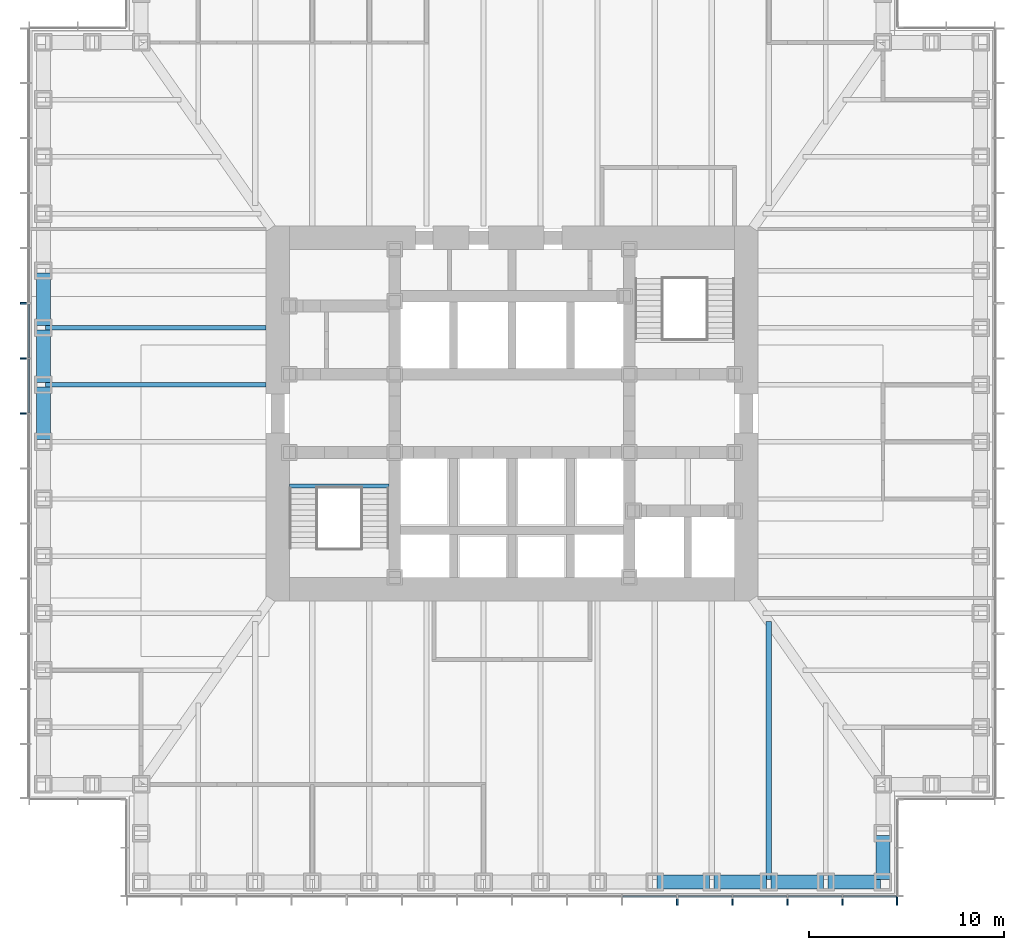
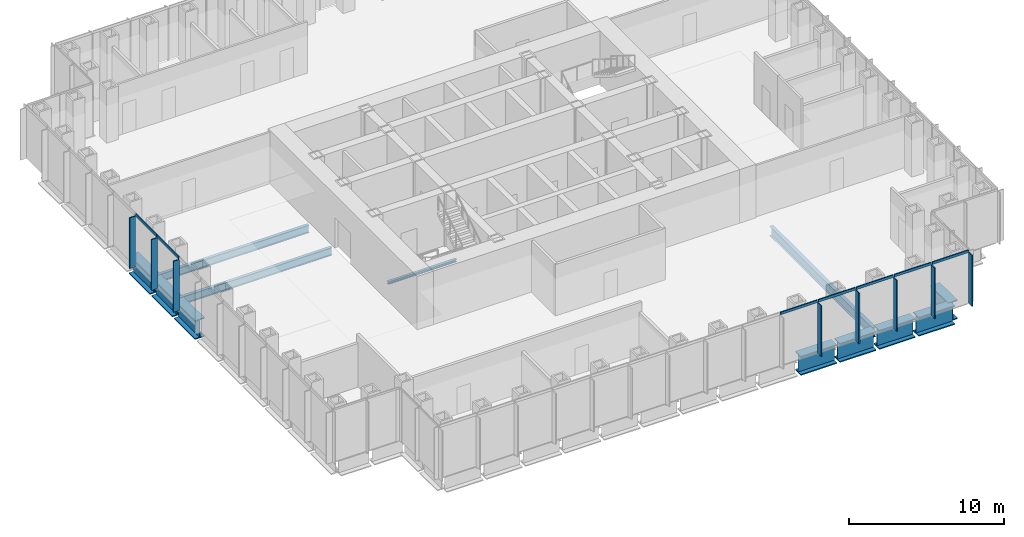
# One storey, part 3 of 16: 15 members, 12 beams, 2 elements without a shape of their own.
"""IFC4 building model written with IfcOpenShell, lengths in metres."""

import ifcopenshell
import ifcopenshell.guid

model = None  # the IFC model being written
_history = None  # IfcOwnerHistory: only IFC2X3 demands one
_inside = {}  # id of a spatial element -> (the spatial element, [elements in it])
_under = {}  # id of a project, library or spatial element -> (it, [spatial elements below it])
_declared = {}  # id of a project -> (the project, [libraries it declares])
_typed = {}  # id of a type object -> (the type object, [elements of that type])
_made_of = {}  # id of a material, layer set ... -> (it, [elements and type objects made of it])


def new_model(schema):
    """Start an empty IFC model of exactly this schema.

    Asked for "IFC4X3", IfcOpenShell would pick the latest addendum, in which some entities
    have other attributes; the version numbers below select the first issue.
    IFC2X3 requires an IfcOwnerHistory on every rooted entity: one is made here for all.
    """
    global model, _history
    if schema == "IFC4X3":
        model = ifcopenshell.file(schema_version=(4, 3, 0, 0))
    else:
        model = ifcopenshell.file(schema=schema)
    _inside.clear()
    _under.clear()
    _declared.clear()
    _typed.clear()
    _made_of.clear()
    _history = None
    if model.schema == "IFC2X3":
        org = make("IfcOrganization", Name="unknown")
        user = make(
            "IfcPersonAndOrganization",
            ThePerson=make("IfcPerson", FamilyName="unknown"),
            TheOrganization=org,
        )
        app = make(
            "IfcApplication",
            ApplicationDeveloper=org,
            Version="unknown",
            ApplicationFullName="unknown",
            ApplicationIdentifier="unknown",
        )
        _history = make(
            "IfcOwnerHistory",
            OwningUser=user,
            OwningApplication=app,
            ChangeAction="ADDED",
            CreationDate=0,
        )
    return model


def make(cls, **values):
    """One entity of the class cls with the attributes given. An attribute that is None is left unset."""
    return model.create_entity(
        cls, **{name: value for name, value in values.items() if value is not None}
    )


def rooted(cls, **values):
    """An entity with a GlobalId (a new one), such as an element, a storey or a relation."""
    return make(cls, GlobalId=ifcopenshell.guid.new(), OwnerHistory=_history, **values)


def si_unit(unit_type, name, prefix=None):
    """IfcSIUnit, for example si_unit("LENGTHUNIT", "METRE", prefix="MILLI")."""
    return make("IfcSIUnit", UnitType=unit_type, Prefix=prefix, Name=name)


def assignment(units):
    """IfcUnitAssignment: the units of a project."""
    return None if units is None else make("IfcUnitAssignment", Units=units)


def point(xyz):
    """IfcCartesianPoint."""
    return None if xyz is None else make("IfcCartesianPoint", Coordinates=xyz)


def direction(xyz):
    """IfcDirection."""
    return None if xyz is None else make("IfcDirection", DirectionRatios=xyz)


def frame(location, z_axis=None, x_axis=None):
    """IfcAxis2Placement3D, a coordinate frame: its origin and axes. An axis left out is left unset."""
    return make(
        "IfcAxis2Placement3D",
        Location=point(location),
        Axis=direction(z_axis),
        RefDirection=direction(x_axis),
    )


def frame_2d(location, x_axis=None):
    """IfcAxis2Placement2D, a coordinate frame in the plane: its origin and x axis."""
    return make(
        "IfcAxis2Placement2D", Location=point(location), RefDirection=direction(x_axis)
    )


def origin():
    """The frame at (0, 0, 0) with its axes left unset."""
    return frame((0.0, 0.0, 0.0))


def origin_2d():
    """The frame at (0, 0) in the plane with its x axis left unset."""
    return frame_2d((0.0, 0.0))


def place(relative_to, where):
    """IfcLocalPlacement: puts the frame where relative to a parent placement (None: the world)."""
    return make(
        "IfcLocalPlacement", PlacementRelTo=relative_to, RelativePlacement=where
    )


def context(
    kind, dimensions, precision=None, world=None, true_north=None, identifier=None
):
    """IfcGeometricRepresentationContext, for example the 3D "Model" context."""
    return make(
        "IfcGeometricRepresentationContext",
        ContextIdentifier=identifier,
        ContextType=kind,
        CoordinateSpaceDimension=dimensions,
        Precision=precision,
        WorldCoordinateSystem=world,
        TrueNorth=true_north,
    )


def subcontext(parent, identifier, kind, view, scale=None):
    """IfcGeometricRepresentationSubContext, for example "Body" below "Model"."""
    return make(
        "IfcGeometricRepresentationSubContext",
        ContextIdentifier=identifier,
        ContextType=kind,
        ParentContext=parent,
        TargetScale=scale,
        TargetView=view,
    )


def project(units=None, contexts=None):
    """IfcProject with its units and contexts."""
    return rooted(
        "IfcProject",
        Name="project",
        RepresentationContexts=contexts,
        UnitsInContext=assignment(units),
    )


def spatial(cls, under=None, at=None, **own):
    """A site, building, storey or space (cls), placed at a placement, below another one or the project."""
    s = rooted(cls, ObjectPlacement=at, **own)
    if under is not None:
        _under.setdefault(under.id(), (under, []))[1].append(s)
    return s


def profile(cls, at=None, kind="AREA", **sizes):
    """A parametric profile (cls). Its sizes go by their IFC names, for example OverallWidth=200.0."""
    return make(cls, ProfileType=kind, Position=at, **sizes)


def rectangle(**sizes):
    """IfcRectangleProfileDef."""
    return profile("IfcRectangleProfileDef", **sizes)


def i_section(**sizes):
    """IfcIShapeProfileDef."""
    return profile("IfcIShapeProfileDef", **sizes)


def extrude(swept, where, along, depth):
    """IfcExtrudedAreaSolid: the profile swept, set in the frame where, extruded along a direction by depth."""
    return make(
        "IfcExtrudedAreaSolid",
        SweptArea=swept,
        Position=where,
        ExtrudedDirection=direction(along),
        Depth=depth,
    )


def shape(context_of_items, identifier, shape_type, items):
    """IfcShapeRepresentation: the items that make up one representation, for example the "Body"."""
    return make(
        "IfcShapeRepresentation",
        ContextOfItems=context_of_items,
        RepresentationIdentifier=identifier,
        RepresentationType=shape_type,
        Items=items,
    )


def material(Name=None, Category=None):
    """IfcMaterial."""
    return make("IfcMaterial", Name=Name, Category=Category)


def material_profile(
    of_material, cross_section, Name=None, Category=None, Priority=None
):
    """IfcMaterialProfile: a cross section and its material."""
    return make(
        "IfcMaterialProfile",
        Name=Name,
        Material=of_material,
        Profile=cross_section,
        Priority=Priority,
        Category=Category,
    )


def profile_set(profiles, Name=None, composite=None):
    """IfcMaterialProfileSet."""
    return make(
        "IfcMaterialProfileSet",
        Name=Name,
        MaterialProfiles=profiles,
        CompositeProfile=composite,
    )


def made_of(thing, what):
    """Note that an element or type object is made of a material, layer set ...; save() writes the relation."""
    if what is not None:
        _made_of.setdefault(what.id(), (what, []))[1].append(thing)
    return thing


def type_object(cls, material=None, **own):
    """A type object (cls), such as IfcWallType, which elements share."""
    return made_of(rooted(cls, **own), material)


def element(
    cls,
    number,
    at=None,
    inside=None,
    cuts=None,
    type_object=None,
    material=None,
    context=None,
    identifier="Body",
    shape_type=None,
    held_by="IfcProductDefinitionShape",
    body=None,
    shapes=None,
    **own,
):
    """One element of the class cls, such as IfcWall. Its Tag is "e" and its number.

    at: its placement. inside: the storey or other place that contains it. cuts: it is an
    opening in that element (IfcRelVoidsElement). A single representation is given by context,
    identifier, shape_type and body (its items); several are given by shapes. held_by: the class
    of the entity that holds the representations. save() writes the other relations.
    """
    e = rooted(cls, Tag="e%d" % number, ObjectPlacement=at, **own)
    if body is not None:
        shapes = [shape(context, identifier, shape_type, body)]
    if shapes is not None:
        e.Representation = make(held_by, Representations=shapes)
    if inside is not None:
        _inside.setdefault(inside.id(), (inside, []))[1].append(e)
    if cuts is not None:
        rooted(
            "IfcRelVoidsElement", RelatingBuildingElement=cuts, RelatedOpeningElement=e
        )
    if type_object is not None:
        _typed.setdefault(type_object.id(), (type_object, []))[1].append(e)
    return made_of(e, material)


def aggregate(whole, parts):
    """IfcRelAggregates: a whole, such as a stair, and the parts it consists of."""
    return rooted("IfcRelAggregates", RelatingObject=whole, RelatedObjects=parts)


def save(model, path):
    """Write the relations noted so far, then the file.

    IfcRelAggregates (storeys below a building ...), IfcRelContainedInSpatialStructure (elements
    in a storey), IfcRelDefinesByType, IfcRelAssociatesMaterial and IfcRelDeclares: one each for
    every whole, place, type object, material and project.
    """
    for whole, parts in _under.values():
        aggregate(whole, parts)
    for where, things in _inside.values():
        rooted(
            "IfcRelContainedInSpatialStructure",
            RelatedElements=things,
            RelatingStructure=where,
        )
    for kind, things in _typed.values():
        rooted("IfcRelDefinesByType", RelatedObjects=things, RelatingType=kind)
    for what, things in _made_of.values():
        rooted("IfcRelAssociatesMaterial", RelatedObjects=things, RelatingMaterial=what)
    for by, libraries in _declared.values():
        rooted("IfcRelDeclares", RelatingContext=by, RelatedDefinitions=libraries)
    model.write(path)


model = new_model("IFC4")

# Units and contexts
model_context = context("Model", 3, precision=1e-05, world=origin(), true_north=direction((0.0, 1.0)))
body_context = subcontext(model_context, "Body", "Model", "MODEL_VIEW")
ifc_project = project(units=[si_unit("LENGTHUNIT", "METRE"), si_unit("AREAUNIT", "SQUARE_METRE"), si_unit("VOLUMEUNIT", "CUBIC_METRE"), si_unit("PLANEANGLEUNIT", "RADIAN"), si_unit("MASSUNIT", "GRAM", prefix="KILO")], contexts=[model_context])

# Site, building, storey
site_placement = place(None, origin())
site = spatial("IfcSite", under=ifc_project, at=site_placement, CompositionType="ELEMENT")
building_placement = place(site_placement, origin())
building = spatial("IfcBuilding", under=site, at=building_placement, Name="Daluyong Arena Tower", CompositionType="ELEMENT")
storey_placement = place(building_placement, frame((0.0, 0.0, 68.5)))
storey = spatial("IfcBuildingStorey", under=building, at=storey_placement, Name="L14", CompositionType="ELEMENT", Elevation=68.5)

# Curtain wall, members
ifc_material_1 = material(Name="Bronze anodised aluminium and glass", Category="aluminium")
curtain_wall_type = type_object("IfcCurtainWallType", Name="Curtain wall CW1", PredefinedType="USERDEFINED", material=ifc_material_1)
curtain_wall_1_placement = place(storey_placement, origin())
curtain_wall_1 = element("IfcCurtainWall", 1, at=curtain_wall_1_placement, inside=storey, type_object=curtain_wall_type, Name="curtain wall L14 S", ObjectType="UNITISED CURTAIN WALL", PredefinedType="USERDEFINED")
ifc_material_2 = material(Name="Bronze anodised aluminium fin", Category="aluminium")
ifc_material_profile_1 = material_profile(ifc_material_2, rectangle(XDim=0.449951171875, YDim=0.080078125, at=origin_2d()))
ifc_profile_set_1 = profile_set([ifc_material_profile_1], Name="Bronze anodised aluminium fin")
member_type_1 = type_object("IfcMemberType", Name="CW1 bronze fin 450x80", PredefinedType="MULLION", material=ifc_profile_set_1)
member_1_placement = place(storey_placement, frame((64.46435546875, 55.02490234375, 0.0), z_axis=(0.0, 0.0, 1.0), x_axis=(0.0, 1.0, 0.0)))
member_1 = element("IfcMember", 2, at=member_1_placement, type_object=member_type_1, Name="curtain wall L14 S fin 11", PredefinedType="MULLION", context=body_context, shape_type="SweptSolid", body=[
    extrude(rectangle(XDim=0.449951171875, YDim=0.080078125, at=origin_2d()), origin(), (0.0, 0.0, 1.0), 4.0),
])
member_2_placement = place(storey_placement, frame((67.28564453125, 55.02490234375, 0.0), z_axis=(0.0, 0.0, 1.0), x_axis=(0.0, 1.0, 0.0)))
member_2 = element("IfcMember", 3, at=member_2_placement, type_object=member_type_1, Name="curtain wall L14 S fin 12", PredefinedType="MULLION", context=body_context, shape_type="SweptSolid", body=[
    extrude(rectangle(XDim=0.449951171875, YDim=0.080078125, at=origin_2d()), origin(), (0.0, 0.0, 1.0), 4.0),
])
member_3_placement = place(storey_placement, frame((70.107177734375, 55.02490234375, 0.0), z_axis=(0.0, 0.0, 1.0), x_axis=(0.0, 1.0, 0.0)))
member_3 = element("IfcMember", 4, at=member_3_placement, type_object=member_type_1, Name="curtain wall L14 S fin 13", PredefinedType="MULLION", context=body_context, shape_type="SweptSolid", body=[
    extrude(rectangle(XDim=0.449951171875, YDim=0.080078125, at=origin_2d()), origin(), (0.0, 0.0, 1.0), 4.0),
])
member_4_placement = place(storey_placement, frame((72.928466796875, 55.02490234375, 0.0), z_axis=(0.0, 0.0, 1.0), x_axis=(0.0, 1.0, 0.0)))
member_4 = element("IfcMember", 5, at=member_4_placement, type_object=member_type_1, Name="curtain wall L14 S fin 14", PredefinedType="MULLION", context=body_context, shape_type="SweptSolid", body=[
    extrude(rectangle(XDim=0.449951171875, YDim=0.080078125, at=origin_2d()), origin(), (0.0, 0.0, 1.0), 4.0),
])
member_5_placement = place(storey_placement, frame((75.7099609375, 55.02490234375, 0.0), z_axis=(0.0, 0.0, 1.0), x_axis=(0.0, 1.0, 0.0)))
member_5 = element("IfcMember", 6, at=member_5_placement, type_object=member_type_1, Name="curtain wall L14 S fin 15", PredefinedType="MULLION", context=body_context, shape_type="SweptSolid", body=[
    extrude(rectangle(XDim=0.449951171875, YDim=0.080078125, at=origin_2d()), origin(), (0.0, 0.0, 1.0), 4.0),
])

curtain_wall_2_placement = place(storey_placement, origin())
curtain_wall_2 = element("IfcCurtainWall", 7, at=curtain_wall_2_placement, inside=storey, type_object=curtain_wall_type, Name="curtain wall L14 W", ObjectType="UNITISED CURTAIN WALL", PredefinedType="USERDEFINED")
member_6_placement = place(storey_placement, frame((31.02490234375, 85.642822265625, 0.0), z_axis=(0.0, 0.0, 1.0), x_axis=(1.0, 0.0, 0.0)))
member_6 = element("IfcMember", 8, at=member_6_placement, type_object=member_type_1, Name="curtain wall L14 W fin 6", PredefinedType="MULLION", context=body_context, shape_type="SweptSolid", body=[
    extrude(rectangle(XDim=0.449951171875, YDim=0.080078125, at=origin_2d()), origin(), (0.0, 0.0, 1.0), 4.0),
])
member_7_placement = place(storey_placement, frame((31.02490234375, 82.821533203125, 0.0), z_axis=(0.0, 0.0, 1.0), x_axis=(1.0, 0.0, 0.0)))
member_7 = element("IfcMember", 9, at=member_7_placement, type_object=member_type_1, Name="curtain wall L14 W fin 7", PredefinedType="MULLION", context=body_context, shape_type="SweptSolid", body=[
    extrude(rectangle(XDim=0.449951171875, YDim=0.080078125, at=origin_2d()), origin(), (0.0, 0.0, 1.0), 4.0),
])
member_8_placement = place(storey_placement, frame((31.02490234375, 80.0, 0.0), z_axis=(0.0, 0.0, 1.0), x_axis=(1.0, 0.0, 0.0)))
member_8 = element("IfcMember", 10, at=member_8_placement, type_object=member_type_1, Name="curtain wall L14 W fin 8", PredefinedType="MULLION", context=body_context, shape_type="SweptSolid", body=[
    extrude(rectangle(XDim=0.449951171875, YDim=0.080078125, at=origin_2d()), origin(), (0.0, 0.0, 1.0), 4.0),
])

# Member
ifc_material_3 = material(Name="Bronze anodised aluminium", Category="aluminium")
ifc_material_profile_2 = material_profile(ifc_material_3, rectangle(XDim=0.080078125, YDim=0.199951171875, at=origin_2d()))
ifc_profile_set_2 = profile_set([ifc_material_profile_2], Name="Bronze anodised aluminium")
member_type_2 = type_object("IfcMemberType", Name="CW1 stack transom 200x80", PredefinedType="USERDEFINED", material=ifc_profile_set_2)
member_9_placement = place(storey_placement, frame((61.682861328125, 55.25, 4.10009765625), z_axis=(1.0, 0.0, 0.0), x_axis=(0.0, 1.0, 0.0)))
member_9 = element("IfcMember", 11, at=member_9_placement, type_object=member_type_2, Name="curtain wall L14 S transom 10", ObjectType="TRANSOM", PredefinedType="USERDEFINED", context=body_context, shape_type="SweptSolid", body=[
    extrude(rectangle(XDim=0.080078125, YDim=0.199951171875, at=origin_2d()), origin(), (0.0, 0.0, 1.0), 2.741455078125),
])

member_10_placement = place(storey_placement, frame((64.50439453125, 55.25, 4.10009765625), z_axis=(1.0, 0.0, 0.0), x_axis=(0.0, 1.0, 0.0)))
member_10 = element("IfcMember", 12, at=member_10_placement, type_object=member_type_2, Name="curtain wall L14 S transom 11", ObjectType="TRANSOM", PredefinedType="USERDEFINED", context=body_context, shape_type="SweptSolid", body=[
    extrude(rectangle(XDim=0.080078125, YDim=0.199951171875, at=origin_2d()), origin(), (0.0, 0.0, 1.0), 2.7412109375),
])

member_11_placement = place(storey_placement, frame((67.32568359375, 55.25, 4.10009765625), z_axis=(1.0, 0.0, 0.0), x_axis=(0.0, 1.0, 0.0)))
member_11 = element("IfcMember", 13, at=member_11_placement, type_object=member_type_2, Name="curtain wall L14 S transom 12", ObjectType="TRANSOM", PredefinedType="USERDEFINED", context=body_context, shape_type="SweptSolid", body=[
    extrude(rectangle(XDim=0.080078125, YDim=0.199951171875, at=origin_2d()), origin(), (0.0, 0.0, 1.0), 2.741455078125),
])

member_12_placement = place(storey_placement, frame((70.147216796875, 55.25, 4.10009765625), z_axis=(1.0, 0.0, 0.0), x_axis=(0.0, 1.0, 0.0)))
member_12 = element("IfcMember", 14, at=member_12_placement, type_object=member_type_2, Name="curtain wall L14 S transom 13", ObjectType="TRANSOM", PredefinedType="USERDEFINED", context=body_context, shape_type="SweptSolid", body=[
    extrude(rectangle(XDim=0.080078125, YDim=0.199951171875, at=origin_2d()), origin(), (0.0, 0.0, 1.0), 2.741455078125),
])

member_13_placement = place(storey_placement, frame((72.968505859375, 55.25, 4.10009765625), z_axis=(1.0, 0.0, 0.0), x_axis=(0.0, 1.0, 0.0)))
member_13 = element("IfcMember", 15, at=member_13_placement, type_object=member_type_2, Name="curtain wall L14 S transom 14", ObjectType="TRANSOM", PredefinedType="USERDEFINED", context=body_context, shape_type="SweptSolid", body=[
    extrude(rectangle(XDim=0.080078125, YDim=0.199951171875, at=origin_2d()), origin(), (0.0, 0.0, 1.0), 2.701416015625),
])

aggregate(curtain_wall_1, [member_1, member_2, member_3, member_4, member_5, member_9, member_10, member_11, member_12, member_13])

member_14_placement = place(storey_placement, frame((31.25, 85.602783203125, 4.10009765625), z_axis=(0.0, -1.0, 0.0), x_axis=(1.0, 0.0, 0.0)))
member_14 = element("IfcMember", 16, at=member_14_placement, type_object=member_type_2, Name="curtain wall L14 W transom 6", ObjectType="TRANSOM", PredefinedType="USERDEFINED", context=body_context, shape_type="SweptSolid", body=[
    extrude(rectangle(XDim=0.080078125, YDim=0.199951171875, at=origin_2d()), origin(), (0.0, 0.0, 1.0), 2.741455078125),
])

member_15_placement = place(storey_placement, frame((31.25, 82.781494140625, 4.10009765625), z_axis=(0.0, -1.0, 0.0), x_axis=(1.0, 0.0, 0.0)))
member_15 = element("IfcMember", 17, at=member_15_placement, type_object=member_type_2, Name="curtain wall L14 W transom 7", ObjectType="TRANSOM", PredefinedType="USERDEFINED", context=body_context, shape_type="SweptSolid", body=[
    extrude(rectangle(XDim=0.080078125, YDim=0.199951171875, at=origin_2d()), origin(), (0.0, 0.0, 1.0), 2.741455078125),
])

aggregate(curtain_wall_2, [member_6, member_7, member_8, member_14, member_15])

# Beams
ifc_material_4 = material(Name="Steel ASTM A992 Grade 50", Category="steel")
ifc_material_profile_3 = material_profile(ifc_material_4, i_section(OverallWidth=0.22900390625, OverallDepth=0.612060546875, WebThickness=0.011962890625, FlangeThickness=0.01953125, at=origin_2d()))
ifc_profile_set_3 = profile_set([ifc_material_profile_3], Name="Steel ASTM A992 Grade 50")
beam_type_1 = type_object("IfcBeamType", Name="Floor beam W24X84", PredefinedType="BEAM", material=ifc_profile_set_3)
for number, where, z_axis, x_axis, name in (
    (18, (32.114990234375, 84.384521484375, -0.466064453125), (1.0, 0.0, 0.0), (0.0, 1.0, 0.0), "floor beam FB3"),
    (19, (32.114990234375, 81.46142578125, -0.466064453125), (1.0, 0.0, 0.0), (0.0, 1.0, 0.0), "floor beam FB3"),
):
    element("IfcBeam", number, at=place(storey_placement, frame(where, z_axis=z_axis, x_axis=x_axis)), inside=storey, type_object=beam_type_1, Name=name, PredefinedType="BEAM", context=body_context, shape_type="SweptSolid", body=[
        extrude(i_section(OverallWidth=0.22900390625, OverallDepth=0.612060546875, WebThickness=0.011962890625, FlangeThickness=0.01953125, at=origin_2d()), origin(), (0.0, 0.0, 1.0), 11.284912109375),
    ])
ifc_material_5 = material(Name="Steel ASTM A992 Grade 50", Category="steel")
ifc_material_profile_4 = material_profile(ifc_material_5, i_section(OverallWidth=0.2666015625, OverallDepth=0.761962890625, WebThickness=0.014404296875, FlangeThickness=0.021484375, at=origin_2d()))
ifc_profile_set_4 = profile_set([ifc_material_profile_4], Name="Steel ASTM A992 Grade 50")
beam_type_2 = type_object("IfcBeamType", Name="Floor beam W30X116", PredefinedType="BEAM", material=ifc_profile_set_4)
beam_1_placement = place(storey_placement, frame((69.15380859375, 56.114990234375, -0.541015625), z_axis=(0.0, 1.0, 0.0), x_axis=(-1.0, 0.0, 0.0)))
element("IfcBeam", 20, at=beam_1_placement, inside=storey, type_object=beam_type_2, Name="floor beam FB4", PredefinedType="BEAM", context=body_context, shape_type="SweptSolid", body=[
    extrude(i_section(OverallWidth=0.2666015625, OverallDepth=0.761962890625, WebThickness=0.014404296875, FlangeThickness=0.021484375, at=origin_2d()), origin(), (0.0, 0.0, 1.0), 13.236572265625),
])
ifc_material_6 = material(Name="Steel ASTM A572 Grade 50", Category="steel")
ifc_material_profile_5 = material_profile(ifc_material_6, i_section(OverallWidth=0.699951171875, OverallDepth=1.5, WebThickness=0.04, FlangeThickness=0.08, at=origin_2d()))
ifc_profile_set_5 = profile_set([ifc_material_profile_5], Name="Steel ASTM A572 Grade 50")
beam_type_3 = type_object("IfcBeamType", Name="Spandrel Z1 PG1500X700", PredefinedType="SPANDREL", material=ifc_profile_set_5)
for number, where, z_axis, x_axis, name in (
    (21, (63.422607421875, 56.0, -0.909912109375), (1.0, 0.0, 0.0), (0.0, 1.0, 0.0), "spandrel z1 SB4"),
    (22, (66.345703125, 56.0, -0.909912109375), (1.0, 0.0, 0.0), (0.0, 1.0, 0.0), "spandrel z1 SB4"),
    (23, (69.268798828125, 56.0, -0.909912109375), (1.0, 0.0, 0.0), (0.0, 1.0, 0.0), "spandrel z1 SB4"),
    (24, (72.19189453125, 56.0, -0.909912109375), (1.0, 0.0, 0.0), (0.0, 1.0, 0.0), "spandrel z1 SB4"),
):
    element("IfcBeam", number, at=place(storey_placement, frame(where, z_axis=z_axis, x_axis=x_axis)), inside=storey, type_object=beam_type_3, Name=name, PredefinedType="SPANDREL", context=body_context, shape_type="SweptSolid", body=[
        extrude(i_section(OverallWidth=0.699951171875, OverallDepth=1.5, WebThickness=0.04, FlangeThickness=0.08, at=origin_2d()), origin(), (0.0, 0.0, 1.0), 2.693115234375),
    ])
beam_2_placement = place(storey_placement, frame((75.0, 56.114990234375, -0.909912109375), z_axis=(0.0, 1.0, 0.0), x_axis=(-1.0, 0.0, 0.0)))
element("IfcBeam", 25, at=beam_2_placement, inside=storey, type_object=beam_type_3, Name="spandrel z1 SB4", PredefinedType="SPANDREL", context=body_context, shape_type="SweptSolid", body=[
    extrude(i_section(OverallWidth=0.699951171875, OverallDepth=1.5, WebThickness=0.04, FlangeThickness=0.08, at=origin_2d()), origin(), (0.0, 0.0, 1.0), 2.27001953125),
])
for number, where, z_axis, x_axis, name in (
    (26, (32.0, 87.192626953125, -0.909912109375), (0.0, -1.0, 0.0), (1.0, 0.0, 0.0), "spandrel z1 SB4"),
    (27, (32.0, 84.26953125, -0.909912109375), (0.0, -1.0, 0.0), (1.0, 0.0, 0.0), "spandrel z1 SB4"),
):
    element("IfcBeam", number, at=place(storey_placement, frame(where, z_axis=z_axis, x_axis=x_axis)), inside=storey, type_object=beam_type_3, Name=name, PredefinedType="SPANDREL", context=body_context, shape_type="SweptSolid", body=[
        extrude(i_section(OverallWidth=0.699951171875, OverallDepth=1.5, WebThickness=0.04, FlangeThickness=0.08, at=origin_2d()), origin(), (0.0, 0.0, 1.0), 2.693115234375),
    ])
beam_3_placement = place(storey_placement, frame((32.0, 81.346435546875, -0.909912109375), z_axis=(0.0, -1.0, 0.0), x_axis=(1.0, 0.0, 0.0)))
element("IfcBeam", 28, at=beam_3_placement, inside=storey, type_object=beam_type_3, Name="spandrel z1 SB4", PredefinedType="SPANDREL", context=body_context, shape_type="SweptSolid", body=[
    extrude(i_section(OverallWidth=0.699951171875, OverallDepth=1.5, WebThickness=0.04, FlangeThickness=0.08, at=origin_2d()), origin(), (0.0, 0.0, 1.0), 2.69287109375),
])
ifc_material_7 = material(Name="Steel ASTM A992 Grade 50", Category="steel")
ifc_material_profile_6 = material_profile(ifc_material_7, i_section(OverallWidth=0.203125, OverallDepth=0.203125, WebThickness=0.00732421875, FlangeThickness=0.010986328125, at=origin_2d()))
ifc_profile_set_6 = profile_set([ifc_material_profile_6], Name="Steel ASTM A992 Grade 50")
beam_type_4 = type_object("IfcBeamType", Name="Stair landing beam W8X31", PredefinedType="BEAM", material=ifc_profile_set_6)
beam_4_placement = place(storey_placement, frame((44.60009765625, 76.276611328125, -0.26171875), z_axis=(1.0, 0.0, 0.0), x_axis=(0.0, 1.0, 0.0)))
element("IfcBeam", 29, at=beam_4_placement, inside=storey, type_object=beam_type_4, Name="exit stair A landing beam", PredefinedType="BEAM", context=body_context, shape_type="SweptSolid", body=[
    extrude(i_section(OverallWidth=0.203125, OverallDepth=0.203125, WebThickness=0.00732421875, FlangeThickness=0.010986328125, at=origin_2d()), origin(), (0.0, 0.0, 1.0), 5.099853515625),
])

save(model, "model.ifc")
